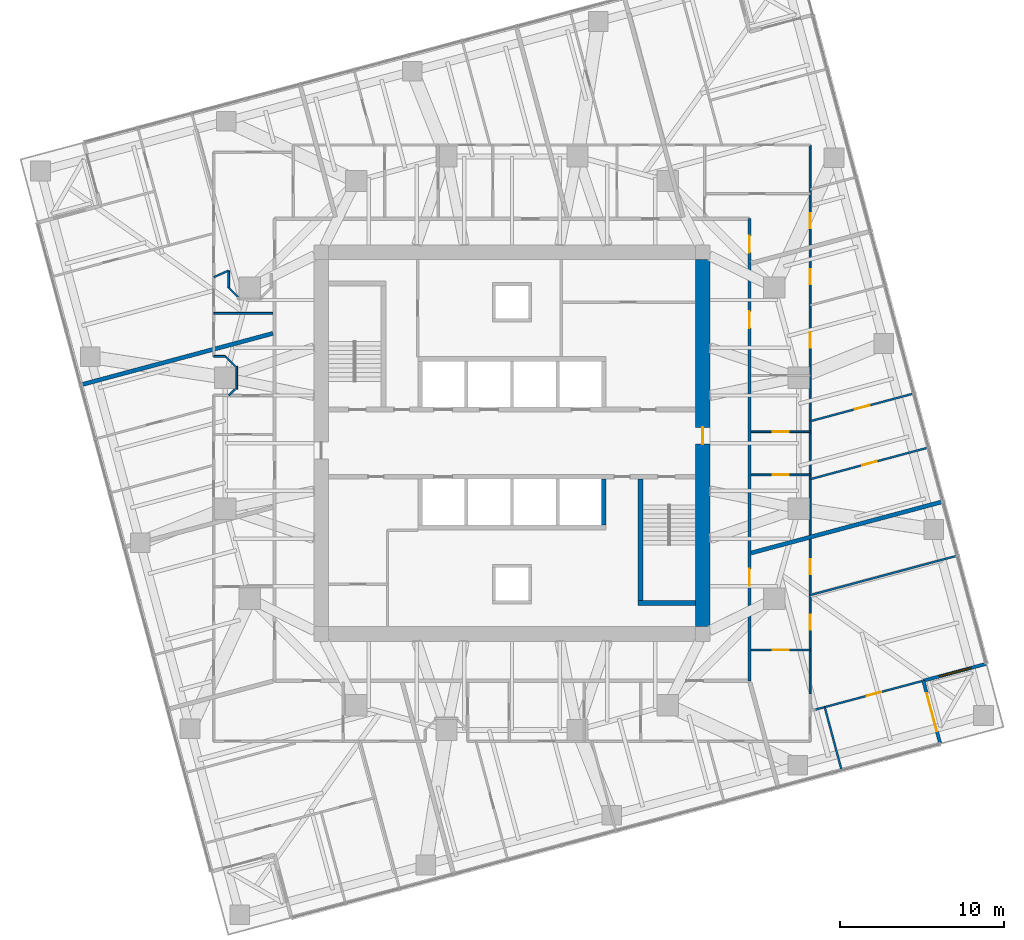
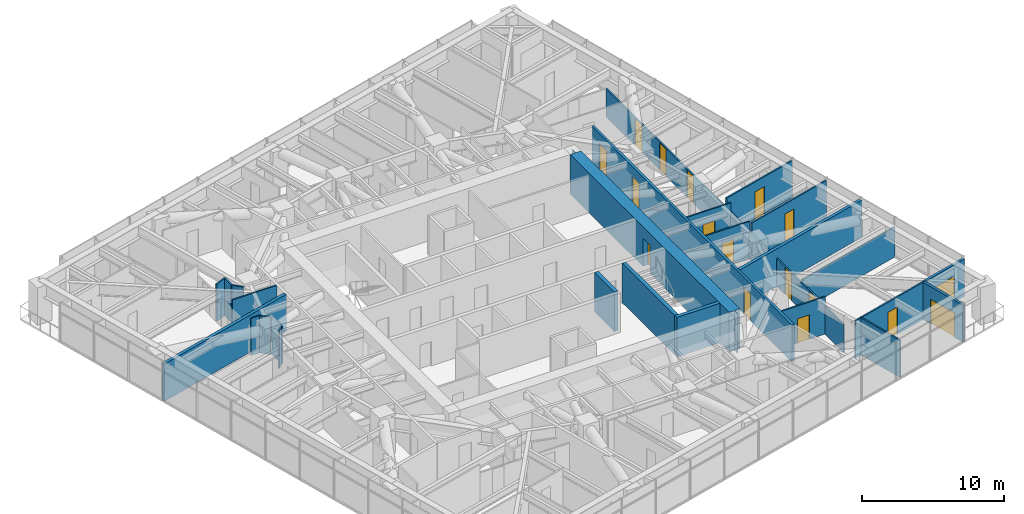
# One storey, part 13 of 18: 26 walls, 16 doors, 1 window, 17 openings.
"""IFC4 building model written with IfcOpenShell, lengths in metres."""

from ifc_helpers import new_model, si_unit, direction, frame, frame_2d, origin, place, context, subcontext, project, spatial, polyline, rectangle, outline, extrude, material, layer, layer_set, type_object, element, fill, save


model = new_model("IFC4")

# Units and contexts
model_context = context("Model", 3, precision=1e-05, world=origin(), true_north=direction((0.0, 1.0)))
body_context = subcontext(model_context, "Body", "Model", "MODEL_VIEW")
ifc_project = project(units=[si_unit("LENGTHUNIT", "METRE"), si_unit("AREAUNIT", "SQUARE_METRE"), si_unit("VOLUMEUNIT", "CUBIC_METRE"), si_unit("PLANEANGLEUNIT", "RADIAN"), si_unit("MASSUNIT", "GRAM", prefix="KILO")], contexts=[model_context])

# Site, building, storey
site_placement = place(None, origin())
site = spatial("IfcSite", under=ifc_project, at=site_placement, CompositionType="ELEMENT")
building_placement = place(site_placement, origin())
building = spatial("IfcBuilding", under=site, at=building_placement, Name="Torsade Residences", CompositionType="ELEMENT")
storey_placement = place(building_placement, frame((0.0, 0.0, 135.39990234375)))
storey = spatial("IfcBuildingStorey", under=building, at=storey_placement, Name="L37", CompositionType="ELEMENT", Elevation=135.39990234375)

# Walls
ifc_material_1 = material(Name="Concrete 80 MPa", Category="concrete")
ifc_layer_1 = layer(ifc_material_1, 0.300048828125)
ifc_layer_set_1 = layer_set([ifc_layer_1], Name="Concrete 80 MPa")
wall_type_1 = type_object("IfcWallType", Name="CORE INTERNAL WALL 300", PredefinedType="SHEAR", material=ifc_layer_set_1)
wall_1_placement = place(storey_placement, frame((45.60009765625, 27.800048828125, 0.0), z_axis=(0.0, 0.0, 1.0), x_axis=(0.0, -1.0, 0.0)))
element("IfcWall", 1, at=wall_1_placement, inside=storey, type_object=wall_type_1, Name="Core wall DS0 L37", PredefinedType="SHEAR", context=body_context, shape_type="SweptSolid", body=[
    extrude(rectangle(XDim=2.800048828125, YDim=0.300048828125, at=frame_2d((1.39990234375, 0.0))), origin(), (0.0, 0.0, 1.0), 3.400146484375),
])
wall_2_placement = place(storey_placement, frame((47.85009765625, 27.800048828125, 0.0), z_axis=(0.0, 0.0, 1.0), x_axis=(0.0, -1.0, 0.0)))
element("IfcWall", 2, at=wall_2_placement, inside=storey, type_object=wall_type_1, Name="Core wall ST2W L37", PredefinedType="SHEAR", context=body_context, shape_type="SweptSolid", body=[
    extrude(rectangle(XDim=7.699951171875, YDim=0.300048828125, at=frame_2d((3.85009765625, 0.0))), origin(), (0.0, 0.0, 1.0), 3.400146484375),
])
wall_3_placement = place(storey_placement, frame((51.199951171875, 20.25, 0.0), z_axis=(0.0, 0.0, 1.0), x_axis=(-1.0, 0.0, 0.0)))
element("IfcWall", 3, at=wall_3_placement, inside=storey, type_object=wall_type_1, Name="Core wall ST2S L37", PredefinedType="SHEAR", context=body_context, shape_type="SweptSolid", body=[
    extrude(rectangle(XDim=3.5, YDim=0.300048828125, at=frame_2d((1.75, 0.0))), origin(), (0.0, 0.0, 1.0), 3.400146484375),
])

# Wall, opening, door
ifc_material_2 = material(Name="Concrete 80 MPa", Category="concrete")
ifc_layer_2 = layer(ifc_material_2, 0.89990234375)
ifc_layer_set_2 = layer_set([ifc_layer_2], Name="Concrete 80 MPa")
wall_type_2 = type_object("IfcWallType", Name="CORE WALL 900", PredefinedType="SHEAR", material=ifc_layer_set_2)
wall_4_placement = place(storey_placement, frame((51.64990234375, 18.800048828125, 0.0), z_axis=(0.0, 0.0, 1.0), x_axis=(0.0, 1.0, 0.0)))
wall_4 = element("IfcWall", 4, at=wall_4_placement, inside=storey, type_object=wall_type_2, Name="Core wall E L37", PredefinedType="SHEAR", context=body_context, shape_type="SweptSolid", body=[
    extrude(outline(polyline([(0.0, -0.449951171875), (22.39990234375, -0.449951171875), (22.39990234375, -0.02490234375), (22.849853515625, -0.02490234375), (22.849853515625, 0.02490234375), (22.39990234375, 0.02490234375), (22.39990234375, 0.449951171875), (0.0, 0.449951171875), (0.0, 0.02490234375), (-0.449951171875, 0.02490234375), (-0.449951171875, -0.02490234375), (0.0, -0.02490234375), (0.0, -0.449951171875)])), origin(), (0.0, 0.0, 1.0), 3.400146484375),
])
opening_1_placement = place(wall_4_placement, frame((11.139892578125, 0.0, 0.0)))
opening_1 = element("IfcOpeningElement", 5, at=opening_1_placement, cuts=wall_4, Name="Opening D04", PredefinedType="OPENING", context=body_context, shape_type="SweptSolid", body=[
    extrude(rectangle(XDim=1.02001953125, YDim=2.39990234375, at=frame_2d((0.510009765625, 1.199951171875))), frame((0.0, 0.4599609375, 0.0), z_axis=(0.0, -1.0, 0.0), x_axis=(1.0, 0.0, 0.0)), (0.0, 0.0, 1.0), 0.919921875),
])
ifc_material_3 = material(Name="Steel-framed fire door", Category="steel")
door_type_1 = type_object("IfcDoorType", Name="LOBBY SMOKE DOOR 1020x2400", OperationType="NOTDEFINED", PredefinedType="DOOR", material=ifc_material_3)
door_1_placement = place(opening_1_placement, origin())
door_1 = element("IfcDoor", 6, at=door_1_placement, inside=storey, type_object=door_type_1, Name="Lift lobby door E L37", OperationType="SINGLE_SWING_LEFT", OverallHeight=2.39990234375, OverallWidth=1.02001953125, PredefinedType="DOOR", context=body_context, shape_type="SweptSolid", body=[
    extrude(rectangle(XDim=1.02001953125, YDim=2.39990234375, at=frame_2d((0.510009765625, 1.199951171875))), frame((0.0, 0.02490234375, 0.0), z_axis=(0.0, -1.0, 0.0), x_axis=(1.0, 0.0, 0.0)), (0.0, 0.0, 1.0), 0.050048828125),
])
fill(opening_1, door_1)

# Wall, openings, doors
ifc_material_4 = material(Name="Plasterboard on steel stud", Category="steel")
ifc_layer_3 = layer(ifc_material_4, 0.199951171875)
ifc_layer_set_3 = layer_set([ifc_layer_3], Name="Plasterboard on steel stud")
wall_type_3 = type_object("IfcWallType", Name="CORRIDOR WALL 200", PredefinedType="PARTITIONING", material=ifc_layer_set_3)
wall_5_placement = place(storey_placement, frame((54.5, 15.5, 0.0), z_axis=(0.0, 0.0, 1.0), x_axis=(0.0, 1.0, 0.0)))
wall_5 = element("IfcWall", 7, at=wall_5_placement, inside=storey, type_object=wall_type_3, Name="Corridor wall L37", PredefinedType="PARTITIONING", context=body_context, shape_type="SweptSolid", body=[
    extrude(rectangle(XDim=28.199951171875, YDim=0.199951171875, at=frame_2d((14.10009765625, 0.0))), origin(), (0.0, 0.0, 1.0), 3.2001953125),
])
opening_2_placement = place(wall_5_placement, frame((21.526611328125, 0.0, 0.0)))
opening_2 = element("IfcOpeningElement", 8, at=opening_2_placement, cuts=wall_5, Name="Opening D01", PredefinedType="OPENING", context=body_context, shape_type="SweptSolid", body=[
    extrude(rectangle(XDim=1.02001953125, YDim=2.340087890625, at=frame_2d((0.510009765625, 1.169921875))), frame((0.0, 0.10986328125, 0.0), z_axis=(0.0, -1.0, 0.0), x_axis=(1.0, 0.0, 0.0)), (0.0, 0.0, 1.0), 0.219970703125),
])
opening_3_placement = place(wall_5_placement, frame((5.80615234375, 0.0, 0.0)))
opening_3 = element("IfcOpeningElement", 9, at=opening_3_placement, cuts=wall_5, Name="Opening D01", PredefinedType="OPENING", context=body_context, shape_type="SweptSolid", body=[
    extrude(rectangle(XDim=1.02001953125, YDim=2.340087890625, at=frame_2d((0.510009765625, 1.169921875))), frame((0.0, 0.10986328125, 0.0), z_axis=(0.0, -1.0, 0.0), x_axis=(1.0, 0.0, 0.0)), (0.0, 0.0, 1.0), 0.219970703125),
])
opening_4_placement = place(wall_5_placement, frame((26.126953125, 0.0, 0.0)))
opening_4 = element("IfcOpeningElement", 10, at=opening_4_placement, cuts=wall_5, Name="Opening D01", PredefinedType="OPENING", context=body_context, shape_type="SweptSolid", body=[
    extrude(rectangle(XDim=1.02001953125, YDim=2.340087890625, at=frame_2d((0.510009765625, 1.169921875))), frame((0.0, 0.10986328125, 0.0), z_axis=(0.0, -1.0, 0.0), x_axis=(1.0, 0.0, 0.0)), (0.0, 0.0, 1.0), 0.219970703125),
])
ifc_material_5 = material(Name="Solid-core timber fire door", Category="wood")
door_type_2 = type_object("IfcDoorType", Name="APARTMENT ENTRY DOOR 1020x2340", OperationType="NOTDEFINED", PredefinedType="DOOR", material=ifc_material_5)
door_2_placement = place(opening_2_placement, origin())
door_2 = element("IfcDoor", 11, at=door_2_placement, inside=storey, type_object=door_type_2, Name="Door Residential corridor to Kitchen and dining", OperationType="SINGLE_SWING_LEFT", OverallHeight=2.340087890625, OverallWidth=1.02001953125, PredefinedType="DOOR", context=body_context, shape_type="SweptSolid", body=[
    extrude(rectangle(XDim=1.02001953125, YDim=2.340087890625, at=frame_2d((0.510009765625, 1.169921875))), frame((0.0, 0.02490234375, 0.0), z_axis=(0.0, -1.0, 0.0), x_axis=(1.0, 0.0, 0.0)), (0.0, 0.0, 1.0), 0.050048828125),
])
fill(opening_2, door_2)
door_3_placement = place(opening_3_placement, origin())
door_3 = element("IfcDoor", 12, at=door_3_placement, inside=storey, type_object=door_type_2, Name="Door Residential corridor to Kitchen and dining", OperationType="SINGLE_SWING_LEFT", OverallHeight=2.340087890625, OverallWidth=1.02001953125, PredefinedType="DOOR", context=body_context, shape_type="SweptSolid", body=[
    extrude(rectangle(XDim=1.02001953125, YDim=2.340087890625, at=frame_2d((0.510009765625, 1.169921875))), frame((0.0, 0.02490234375, 0.0), z_axis=(0.0, -1.0, 0.0), x_axis=(1.0, 0.0, 0.0)), (0.0, 0.0, 1.0), 0.050048828125),
])
fill(opening_3, door_3)
door_4_placement = place(opening_4_placement, origin())
door_4 = element("IfcDoor", 13, at=door_4_placement, inside=storey, type_object=door_type_2, Name="Door Residential corridor to Kitchen and dining", OperationType="SINGLE_SWING_RIGHT", OverallHeight=2.340087890625, OverallWidth=1.02001953125, PredefinedType="DOOR", context=body_context, shape_type="SweptSolid", body=[
    extrude(rectangle(XDim=1.02001953125, YDim=2.340087890625, at=frame_2d((0.510009765625, 1.169921875))), frame((0.0, 0.02490234375, 0.0), z_axis=(0.0, -1.0, 0.0), x_axis=(1.0, 0.0, 0.0)), (0.0, 0.0, 1.0), 0.050048828125),
])
fill(opening_4, door_4)

# Wall, opening, door
ifc_material_6 = material(Name="Plasterboard on steel stud", Category="steel")
ifc_layer_4 = layer(ifc_material_6, 0.1201171875)
ifc_layer_set_4 = layer_set([ifc_layer_4], Name="Plasterboard on steel stud")
wall_type_4 = type_object("IfcWallType", Name="PARTITION 120", PredefinedType="PARTITIONING", material=ifc_layer_set_4)
wall_6_placement = place(storey_placement, frame((58.199951171875, 17.376708984375, 0.0), z_axis=(0.0, 0.0, 1.0), x_axis=(-1.0, 0.0, 0.0)))
wall_6 = element("IfcWall", 14, at=wall_6_placement, inside=storey, type_object=wall_type_4, Name="Partition L37", PredefinedType="PARTITIONING", context=body_context, shape_type="SweptSolid", body=[
    extrude(rectangle(XDim=3.599853515625, YDim=0.1201171875, at=frame_2d((1.7998046875, 0.0))), origin(), (0.0, 0.0, 1.0), 3.2001953125),
])
opening_5_placement = place(wall_6_placement, frame((1.320068359375, 0.0, 0.0)))
opening_5 = element("IfcOpeningElement", 15, at=opening_5_placement, cuts=wall_6, Name="Opening D05", PredefinedType="OPENING", context=body_context, shape_type="SweptSolid", body=[
    extrude(rectangle(XDim=0.9599609375, YDim=2.10009765625, at=frame_2d((0.47998046875, 1.050048828125))), frame((0.0, 0.070068359375, 0.0), z_axis=(0.0, -1.0, 0.0), x_axis=(1.0, 0.0, 0.0)), (0.0, 0.0, 1.0), 0.14013671875),
])
ifc_material_7 = material(Name="Hollow-core timber door in a steel cavity frame", Category="steel")
door_type_3 = type_object("IfcDoorType", Name="BATHROOM CAVITY SLIDING DOOR 960", OperationType="SLIDING_TO_LEFT", PredefinedType="DOOR", material=ifc_material_7)
door_5_placement = place(opening_5_placement, origin())
door_5 = element("IfcDoor", 16, at=door_5_placement, inside=storey, type_object=door_type_3, Name="Door Kitchen and dining to Bathroom", OperationType="SLIDING_TO_LEFT", OverallHeight=2.10009765625, OverallWidth=0.9599609375, PredefinedType="DOOR", context=body_context, shape_type="SweptSolid", body=[
    extrude(rectangle(XDim=0.9599609375, YDim=2.10009765625, at=frame_2d((0.47998046875, 1.050048828125))), frame((0.0, 0.02490234375, 0.0), z_axis=(0.0, -1.0, 0.0), x_axis=(1.0, 0.0, 0.0)), (0.0, 0.0, 1.0), 0.050048828125),
])
fill(opening_5, door_5)

# Wall, openings, doors
wall_7_placement = place(storey_placement, frame((58.199951171875, 48.199951171875, 0.0), z_axis=(0.0, 0.0, 1.0), x_axis=(0.0, -1.0, 0.0)))
wall_7 = element("IfcWall", 17, at=wall_7_placement, inside=storey, type_object=wall_type_4, Name="Partition L37", PredefinedType="PARTITIONING", context=body_context, shape_type="SweptSolid", body=[
    extrude(rectangle(XDim=33.512451171875, YDim=0.1201171875, at=frame_2d((16.75634765625, 0.0))), origin(), (0.0, 0.0, 1.0), 2.399169921875),
])
opening_6_placement = place(wall_7_placement, frame((11.44140625, 0.0, 0.0)))
opening_6 = element("IfcOpeningElement", 18, at=opening_6_placement, cuts=wall_7, Name="Opening D02", PredefinedType="OPENING", context=body_context, shape_type="SweptSolid", body=[
    extrude(rectangle(XDim=0.919921875, YDim=2.340087890625, at=frame_2d((0.4599609375, 1.169921875))), frame((0.0, 0.070068359375, 0.0), z_axis=(0.0, -1.0, 0.0), x_axis=(1.0, 0.0, 0.0)), (0.0, 0.0, 1.0), 0.14013671875),
])
opening_7_placement = place(wall_7_placement, frame((7.58349609375, 0.0, 0.0)))
opening_7 = element("IfcOpeningElement", 19, at=opening_7_placement, cuts=wall_7, Name="Opening D02", PredefinedType="OPENING", context=body_context, shape_type="SweptSolid", body=[
    extrude(rectangle(XDim=0.919921875, YDim=2.340087890625, at=frame_2d((0.4599609375, 1.169921875))), frame((0.0, 0.070068359375, 0.0), z_axis=(0.0, -1.0, 0.0), x_axis=(1.0, 0.0, 0.0)), (0.0, 0.0, 1.0), 0.14013671875),
])
opening_8_placement = place(wall_7_placement, frame((25.269287109375, 0.0, 0.0)))
opening_8 = element("IfcOpeningElement", 20, at=opening_8_placement, cuts=wall_7, Name="Opening D02", PredefinedType="OPENING", context=body_context, shape_type="SweptSolid", body=[
    extrude(rectangle(XDim=0.919921875, YDim=2.340087890625, at=frame_2d((0.4599609375, 1.169921875))), frame((0.0, 0.070068359375, 0.0), z_axis=(0.0, -1.0, 0.0), x_axis=(1.0, 0.0, 0.0)), (0.0, 0.0, 1.0), 0.14013671875),
])
opening_9_placement = place(wall_7_placement, frame((28.661865234375, 0.0, 0.0)))
opening_9 = element("IfcOpeningElement", 21, at=opening_9_placement, cuts=wall_7, Name="Opening D02", PredefinedType="OPENING", context=body_context, shape_type="SweptSolid", body=[
    extrude(rectangle(XDim=0.919921875, YDim=2.340087890625, at=frame_2d((0.4599609375, 1.169921875))), frame((0.0, 0.070068359375, 0.0), z_axis=(0.0, -1.0, 0.0), x_axis=(1.0, 0.0, 0.0)), (0.0, 0.0, 1.0), 0.14013671875),
])
opening_10_placement = place(wall_7_placement, frame((4.150390625, 0.0, 0.0)))
opening_10 = element("IfcOpeningElement", 22, at=opening_10_placement, cuts=wall_7, Name="Opening D02", PredefinedType="OPENING", context=body_context, shape_type="SweptSolid", body=[
    extrude(rectangle(XDim=0.919921875, YDim=2.340087890625, at=frame_2d((0.4599609375, 1.169921875))), frame((0.0, 0.070068359375, 0.0), z_axis=(0.0, -1.0, 0.0), x_axis=(1.0, 0.0, 0.0)), (0.0, 0.0, 1.0), 0.14013671875),
])
ifc_material_8 = material(Name="Hollow-core timber door", Category="wood")
door_type_4 = type_object("IfcDoorType", Name="INTERNAL DOOR 920x2340", OperationType="NOTDEFINED", PredefinedType="DOOR", material=ifc_material_8)
door_6_placement = place(opening_6_placement, origin())
door_6 = element("IfcDoor", 23, at=door_6_placement, inside=storey, type_object=door_type_4, Name="Door Kitchen and dining to Living room", OperationType="SINGLE_SWING_LEFT", OverallHeight=2.340087890625, OverallWidth=0.919921875, PredefinedType="DOOR", context=body_context, shape_type="SweptSolid", body=[
    extrude(rectangle(XDim=0.919921875, YDim=2.340087890625, at=frame_2d((0.4599609375, 1.169921875))), frame((0.0, 0.02490234375, 0.0), z_axis=(0.0, -1.0, 0.0), x_axis=(1.0, 0.0, 0.0)), (0.0, 0.0, 1.0), 0.050048828125),
])
fill(opening_6, door_6)
door_7_placement = place(opening_7_placement, origin())
door_7 = element("IfcDoor", 24, at=door_7_placement, inside=storey, type_object=door_type_4, Name="Door Kitchen and dining to Bedroom 3", OperationType="SINGLE_SWING_RIGHT", OverallHeight=2.340087890625, OverallWidth=0.919921875, PredefinedType="DOOR", context=body_context, shape_type="SweptSolid", body=[
    extrude(rectangle(XDim=0.919921875, YDim=2.340087890625, at=frame_2d((0.4599609375, 1.169921875))), frame((0.0, 0.02490234375, 0.0), z_axis=(0.0, -1.0, 0.0), x_axis=(1.0, 0.0, 0.0)), (0.0, 0.0, 1.0), 0.050048828125),
])
fill(opening_7, door_7)
door_8_placement = place(opening_8_placement, origin())
door_8 = element("IfcDoor", 25, at=door_8_placement, inside=storey, type_object=door_type_4, Name="Door Kitchen and dining to Bedroom 1", OperationType="SINGLE_SWING_RIGHT", OverallHeight=2.340087890625, OverallWidth=0.919921875, PredefinedType="DOOR", context=body_context, shape_type="SweptSolid", body=[
    extrude(rectangle(XDim=0.919921875, YDim=2.340087890625, at=frame_2d((0.4599609375, 1.169921875))), frame((0.0, 0.02490234375, 0.0), z_axis=(0.0, -1.0, 0.0), x_axis=(1.0, 0.0, 0.0)), (0.0, 0.0, 1.0), 0.050048828125),
])
fill(opening_8, door_8)
door_9_placement = place(opening_9_placement, origin())
door_9 = element("IfcDoor", 26, at=door_9_placement, inside=storey, type_object=door_type_4, Name="Door Kitchen and dining to Living room", OperationType="SINGLE_SWING_LEFT", OverallHeight=2.340087890625, OverallWidth=0.919921875, PredefinedType="DOOR", context=body_context, shape_type="SweptSolid", body=[
    extrude(rectangle(XDim=0.919921875, YDim=2.340087890625, at=frame_2d((0.4599609375, 1.169921875))), frame((0.0, 0.02490234375, 0.0), z_axis=(0.0, -1.0, 0.0), x_axis=(1.0, 0.0, 0.0)), (0.0, 0.0, 1.0), 0.050048828125),
])
fill(opening_9, door_9)
door_10_placement = place(opening_10_placement, origin())
door_10 = element("IfcDoor", 27, at=door_10_placement, inside=storey, type_object=door_type_4, Name="Door Kitchen and dining to Bedroom 3", OperationType="SINGLE_SWING_RIGHT", OverallHeight=2.340087890625, OverallWidth=0.919921875, PredefinedType="DOOR", context=body_context, shape_type="SweptSolid", body=[
    extrude(rectangle(XDim=0.919921875, YDim=2.340087890625, at=frame_2d((0.4599609375, 1.169921875))), frame((0.0, 0.02490234375, 0.0), z_axis=(0.0, -1.0, 0.0), x_axis=(1.0, 0.0, 0.0)), (0.0, 0.0, 1.0), 0.050048828125),
])
fill(opening_10, door_10)

# Wall
wall_8_placement = place(storey_placement, frame((58.199951171875, 20.727783203125, 0.0), z_axis=(0.0, 0.0, 1.0), x_axis=(0.965925974596, 0.258818491613, 0.0)))
element("IfcWall", 28, at=wall_8_placement, inside=storey, type_object=wall_type_4, Name="Partition L37", PredefinedType="PARTITIONING", context=body_context, shape_type="SweptSolid", body=[
    extrude(rectangle(XDim=9.280029296875, YDim=0.1201171875, at=frame_2d((4.64013671875, 0.0))), origin(), (0.0, 0.0, 1.0), 2.588134765625),
])

# Wall, opening, door
wall_9_placement = place(storey_placement, frame((65.068603515625, 15.493896484375, 0.0), z_axis=(0.0, 0.0, 1.0), x_axis=(-0.965922865286, -0.258830095464, 0.0)))
wall_9 = element("IfcWall", 29, at=wall_9_placement, inside=storey, type_object=wall_type_4, Name="Partition L37", PredefinedType="PARTITIONING", context=body_context, shape_type="SweptSolid", body=[
    extrude(rectangle(XDim=6.793212890625, YDim=0.1201171875, at=frame_2d((3.396484375, 0.0))), origin(), (0.0, 0.0, 1.0), 3.2001953125),
])
opening_11_placement = place(wall_9_placement, frame((2.61669921875, 0.0, 0.0)))
opening_11 = element("IfcOpeningElement", 30, at=opening_11_placement, cuts=wall_9, Name="Opening D02", PredefinedType="OPENING", context=body_context, shape_type="SweptSolid", body=[
    extrude(rectangle(XDim=0.919921875, YDim=2.340087890625, at=frame_2d((0.4599609375, 1.169921875))), frame((0.0, 0.070068359375, 0.0), z_axis=(0.0, -1.0, 0.0), x_axis=(1.0, 0.0, 0.0)), (0.0, 0.0, 1.0), 0.14013671875),
])
door_11_placement = place(opening_11_placement, origin())
door_11 = element("IfcDoor", 31, at=door_11_placement, inside=storey, type_object=door_type_4, Name="Door Living room to Bedroom 2", OperationType="SINGLE_SWING_RIGHT", OverallHeight=2.340087890625, OverallWidth=0.919921875, PredefinedType="DOOR", context=body_context, shape_type="SweptSolid", body=[
    extrude(rectangle(XDim=0.919921875, YDim=2.340087890625, at=frame_2d((0.4599609375, 1.169921875))), frame((0.0, 0.02490234375, 0.0), z_axis=(0.0, -1.0, 0.0), x_axis=(1.0, 0.0, 0.0)), (0.0, 0.0, 1.0), 0.050048828125),
])
fill(opening_11, door_11)

# Wall
wall_10_placement = place(storey_placement, frame((60.111328125, 10.06591796875, 0.0), z_axis=(0.0, 0.0, 1.0), x_axis=(-0.258863452657, 0.965913926227, 0.0)))
element("IfcWall", 32, at=wall_10_placement, inside=storey, type_object=wall_type_4, Name="Partition L37", PredefinedType="PARTITIONING", context=body_context, shape_type="SweptSolid", body=[
    extrude(rectangle(XDim=3.960205078125, YDim=0.1201171875, at=frame_2d((1.97998046875, 0.0))), origin(), (0.0, 0.0, 1.0), 3.2001953125),
])

# Wall, opening, door
wall_11_placement = place(storey_placement, frame((54.60009765625, 28.06591796875, 0.0), z_axis=(0.0, 0.0, 1.0), x_axis=(1.0, 0.0, 0.0)))
wall_11 = element("IfcWall", 33, at=wall_11_placement, inside=storey, type_object=wall_type_4, Name="Partition L37", PredefinedType="PARTITIONING", context=body_context, shape_type="SweptSolid", body=[
    extrude(rectangle(XDim=3.599853515625, YDim=0.1201171875, at=frame_2d((1.7998046875, 0.0))), origin(), (0.0, 0.0, 1.0), 3.2001953125),
])
opening_12_placement = place(wall_11_placement, frame((1.320068359375, 0.0, 0.0)))
opening_12 = element("IfcOpeningElement", 34, at=opening_12_placement, cuts=wall_11, Name="Opening D05", PredefinedType="OPENING", context=body_context, shape_type="SweptSolid", body=[
    extrude(rectangle(XDim=0.9599609375, YDim=2.10009765625, at=frame_2d((0.47998046875, 1.050048828125))), frame((0.0, 0.070068359375, 0.0), z_axis=(0.0, -1.0, 0.0), x_axis=(1.0, 0.0, 0.0)), (0.0, 0.0, 1.0), 0.14013671875),
])
door_12_placement = place(opening_12_placement, origin())
door_12 = element("IfcDoor", 35, at=door_12_placement, inside=storey, type_object=door_type_3, Name="Door Laundry to Bathroom", OperationType="SLIDING_TO_LEFT", OverallHeight=2.10009765625, OverallWidth=0.9599609375, PredefinedType="DOOR", context=body_context, shape_type="SweptSolid", body=[
    extrude(rectangle(XDim=0.9599609375, YDim=2.10009765625, at=frame_2d((0.47998046875, 1.050048828125))), frame((0.0, 0.02490234375, 0.0), z_axis=(0.0, -1.0, 0.0), x_axis=(1.0, 0.0, 0.0)), (0.0, 0.0, 1.0), 0.050048828125),
])
fill(opening_12, door_12)

wall_12_placement = place(storey_placement, frame((58.199951171875, 30.69775390625, 0.0), z_axis=(0.0, 0.0, 1.0), x_axis=(-1.0, 0.0, 0.0)))
wall_12 = element("IfcWall", 36, at=wall_12_placement, inside=storey, type_object=wall_type_4, Name="Partition L37", PredefinedType="PARTITIONING", context=body_context, shape_type="SweptSolid", body=[
    extrude(rectangle(XDim=3.599853515625, YDim=0.1201171875, at=frame_2d((1.7998046875, 0.0))), origin(), (0.0, 0.0, 1.0), 3.2001953125),
])
opening_13_placement = place(wall_12_placement, frame((1.320068359375, 0.0, 0.0)))
opening_13 = element("IfcOpeningElement", 37, at=opening_13_placement, cuts=wall_12, Name="Opening D05", PredefinedType="OPENING", context=body_context, shape_type="SweptSolid", body=[
    extrude(rectangle(XDim=0.9599609375, YDim=2.10009765625, at=frame_2d((0.47998046875, 1.050048828125))), frame((0.0, 0.070068359375, 0.0), z_axis=(0.0, -1.0, 0.0), x_axis=(1.0, 0.0, 0.0)), (0.0, 0.0, 1.0), 0.14013671875),
])
door_13_placement = place(opening_13_placement, origin())
door_13 = element("IfcDoor", 38, at=door_13_placement, inside=storey, type_object=door_type_3, Name="Door Ensuite to Laundry", OperationType="SLIDING_TO_LEFT", OverallHeight=2.10009765625, OverallWidth=0.9599609375, PredefinedType="DOOR", context=body_context, shape_type="SweptSolid", body=[
    extrude(rectangle(XDim=0.9599609375, YDim=2.10009765625, at=frame_2d((0.47998046875, 1.050048828125))), frame((0.0, 0.02490234375, 0.0), z_axis=(0.0, -1.0, 0.0), x_axis=(1.0, 0.0, 0.0)), (0.0, 0.0, 1.0), 0.050048828125),
])
fill(opening_13, door_13)

wall_13_placement = place(storey_placement, frame((64.5107421875, 33.030517578125, 0.0), z_axis=(0.0, 0.0, 1.0), x_axis=(-0.96591852682, -0.258846285554, 0.0)))
wall_13 = element("IfcWall", 39, at=wall_13_placement, inside=storey, type_object=wall_type_4, Name="Partition L37", PredefinedType="PARTITIONING", context=body_context, shape_type="SweptSolid", body=[
    extrude(rectangle(XDim=6.533447265625, YDim=0.1201171875, at=frame_2d((3.2666015625, 0.0))), origin(), (0.0, 0.0, 1.0), 3.2001953125),
])
opening_14_placement = place(wall_13_placement, frame((2.78662109375, 0.0, 0.0)))
opening_14 = element("IfcOpeningElement", 40, at=opening_14_placement, cuts=wall_13, Name="Opening D02", PredefinedType="OPENING", context=body_context, shape_type="SweptSolid", body=[
    extrude(rectangle(XDim=0.919921875, YDim=2.340087890625, at=frame_2d((0.4599609375, 1.169921875))), frame((0.0, 0.070068359375, 0.0), z_axis=(0.0, -1.0, 0.0), x_axis=(1.0, 0.0, 0.0)), (0.0, 0.0, 1.0), 0.14013671875),
])
door_14_placement = place(opening_14_placement, origin())
door_14 = element("IfcDoor", 41, at=door_14_placement, inside=storey, type_object=door_type_4, Name="Door Living room to Bedroom 2", OperationType="SINGLE_SWING_RIGHT", OverallHeight=2.340087890625, OverallWidth=0.919921875, PredefinedType="DOOR", context=body_context, shape_type="SweptSolid", body=[
    extrude(rectangle(XDim=0.919921875, YDim=2.340087890625, at=frame_2d((0.4599609375, 1.169921875))), frame((0.0, 0.02490234375, 0.0), z_axis=(0.0, -1.0, 0.0), x_axis=(1.0, 0.0, 0.0)), (0.0, 0.0, 1.0), 0.050048828125),
])
fill(opening_14, door_14)

wall_14_placement = place(storey_placement, frame((58.199951171875, 27.80224609375, 0.0), z_axis=(0.0, 0.0, 1.0), x_axis=(0.965925814813, 0.258819087933, 0.0)))
wall_14 = element("IfcWall", 42, at=wall_14_placement, inside=storey, type_object=wall_type_4, Name="Partition L37", PredefinedType="PARTITIONING", context=body_context, shape_type="SweptSolid", body=[
    extrude(rectangle(XDim=7.44921875, YDim=0.1201171875, at=frame_2d((3.724609375, 0.0))), origin(), (0.0, 0.0, 1.0), 3.2001953125),
])
opening_15_placement = place(wall_14_placement, frame((3.284423828125, 0.0, 0.0)))
opening_15 = element("IfcOpeningElement", 43, at=opening_15_placement, cuts=wall_14, Name="Opening D02", PredefinedType="OPENING", context=body_context, shape_type="SweptSolid", body=[
    extrude(rectangle(XDim=0.919921875, YDim=2.340087890625, at=frame_2d((0.4599609375, 1.169921875))), frame((0.0, 0.070068359375, 0.0), z_axis=(0.0, -1.0, 0.0), x_axis=(1.0, 0.0, 0.0)), (0.0, 0.0, 1.0), 0.14013671875),
])
door_15_placement = place(opening_15_placement, origin())
door_15 = element("IfcDoor", 44, at=door_15_placement, inside=storey, type_object=door_type_4, Name="Door Bedroom 2 to Bedroom 1", OperationType="SINGLE_SWING_LEFT", OverallHeight=2.340087890625, OverallWidth=0.919921875, PredefinedType="DOOR", context=body_context, shape_type="SweptSolid", body=[
    extrude(rectangle(XDim=0.919921875, YDim=2.340087890625, at=frame_2d((0.4599609375, 1.169921875))), frame((0.0, 0.02490234375, 0.0), z_axis=(0.0, -1.0, 0.0), x_axis=(1.0, 0.0, 0.0)), (0.0, 0.0, 1.0), 0.050048828125),
])
fill(opening_15, door_15)

# Walls
wall_15_placement = place(storey_placement, frame((23.300048828125, 38.89990234375, 0.0), z_axis=(0.0, 0.0, 1.0), x_axis=(-0.707106781187, 0.707106781187, 0.0)))
element("IfcWall", 45, at=wall_15_placement, inside=storey, type_object=wall_type_4, Name="Partition L37", PredefinedType="PARTITIONING", context=body_context, shape_type="SweptSolid", body=[
    extrude(rectangle(XDim=0.8486328125, YDim=0.1201171875, at=frame_2d((0.42431640625, 0.0))), origin(), (0.0, 0.0, 1.0), 3.2001953125),
])
wall_16_placement = place(storey_placement, frame((22.699951171875, 39.5, 0.0), z_axis=(0.0, 0.0, 1.0), x_axis=(0.0, 1.0, 0.0)))
element("IfcWall", 46, at=wall_16_placement, inside=storey, type_object=wall_type_4, Name="Partition L37", PredefinedType="PARTITIONING", context=body_context, shape_type="SweptSolid", body=[
    extrude(rectangle(XDim=1.035400390625, YDim=0.1201171875, at=frame_2d((0.517578125, 0.0))), origin(), (0.0, 0.0, 1.0), 3.2001953125),
])
wall_17_placement = place(storey_placement, frame((22.699951171875, 40.535400390625, 0.0), z_axis=(0.0, 0.0, 1.0), x_axis=(-0.913739977195, -0.406299463544, 0.0)))
element("IfcWall", 47, at=wall_17_placement, inside=storey, type_object=wall_type_4, Name="Partition L37", PredefinedType="PARTITIONING", context=body_context, shape_type="SweptSolid", body=[
    extrude(rectangle(XDim=0.98486328125, YDim=0.1201171875, at=frame_2d((0.492431640625, 0.0))), origin(), (0.0, 0.0, 1.0), 3.2001953125),
])
wall_18_placement = place(storey_placement, frame((25.39990234375, 37.918212890625, 0.0), z_axis=(0.0, 0.0, 1.0), x_axis=(-1.0, 0.0, 0.0)))
element("IfcWall", 48, at=wall_18_placement, inside=storey, type_object=wall_type_4, Name="Partition L37", PredefinedType="PARTITIONING", context=body_context, shape_type="SweptSolid", body=[
    extrude(rectangle(XDim=3.599853515625, YDim=0.1201171875, at=frame_2d((1.7998046875, 0.0))), origin(), (0.0, 0.0, 1.0), 3.2001953125),
])
wall_19_placement = place(storey_placement, frame((22.716064453125, 32.916015625, 0.0), z_axis=(0.0, 0.0, 1.0), x_axis=(0.707106781187, 0.707106781187, 0.0)))
element("IfcWall", 49, at=wall_19_placement, inside=storey, type_object=wall_type_4, Name="Partition L37", PredefinedType="PARTITIONING", context=body_context, shape_type="SweptSolid", body=[
    extrude(rectangle(XDim=0.543212890625, YDim=0.1201171875, at=frame_2d((0.271484375, 0.0))), origin(), (0.0, 0.0, 1.0), 3.2001953125),
])
wall_20_placement = place(storey_placement, frame((23.199951171875, 33.300048828125, 0.0), z_axis=(0.0, 0.0, 1.0), x_axis=(0.0, 1.0, 0.0)))
element("IfcWall", 50, at=wall_20_placement, inside=storey, type_object=wall_type_4, Name="Partition L37", PredefinedType="PARTITIONING", context=body_context, shape_type="SweptSolid", body=[
    extrude(rectangle(XDim=1.39990234375, YDim=0.1201171875, at=frame_2d((0.699951171875, 0.0))), origin(), (0.0, 0.0, 1.0), 3.2001953125),
])
wall_21_placement = place(storey_placement, frame((23.10009765625, 34.699951171875, 0.0), z_axis=(0.0, 0.0, 1.0), x_axis=(-0.707106781187, 0.707106781187, 0.0)))
element("IfcWall", 51, at=wall_21_placement, inside=storey, type_object=wall_type_4, Name="Partition L37", PredefinedType="PARTITIONING", context=body_context, shape_type="SweptSolid", body=[
    extrude(rectangle(XDim=0.8486328125, YDim=0.1201171875, at=frame_2d((0.42431640625, 0.0))), origin(), (0.0, 0.0, 1.0), 3.2001953125),
])
wall_22_placement = place(storey_placement, frame((22.5, 35.300048828125, 0.0), z_axis=(0.0, 0.0, 1.0), x_axis=(-1.0, 0.0, 0.0)))
element("IfcWall", 52, at=wall_22_placement, inside=storey, type_object=wall_type_4, Name="Partition L37", PredefinedType="PARTITIONING", context=body_context, shape_type="SweptSolid", body=[
    extrude(rectangle(XDim=0.699951171875, YDim=0.1201171875, at=frame_2d((0.35009765625, 0.0))), origin(), (0.0, 0.0, 1.0), 3.2001953125),
])
ifc_material_9 = material(Name="Masonry-lined stud party wall", Category="masonry")
ifc_layer_5 = layer(ifc_material_9, 0.25)
ifc_layer_set_5 = layer_set([ifc_layer_5], Name="Masonry-lined stud party wall")
wall_type_5 = type_object("IfcWallType", Name="PARTY WALL 250", PredefinedType="PARTITIONING", material=ifc_layer_set_5)
for number, where, z_axis, x_axis, name in (
    (53, (66.318115234375, 26.4404296875, 0.0), (0.0, 0.0, 1.0), (-0.965924438766, -0.258824223352, 0.0), "Party wall L37"),
    (54, (13.681884765625, 33.5595703125, 0.0), (0.0, 0.0, 1.0), (0.965924438766, 0.258824223352, 0.0), "Party wall L37"),
):
    element("IfcWall", number, at=place(storey_placement, frame(where, z_axis=z_axis, x_axis=x_axis)), inside=storey, type_object=wall_type_5, Name=name, PredefinedType="PARTITIONING", context=body_context, shape_type="SweptSolid", body=[
        extrude(rectangle(XDim=12.137939453125, YDim=0.25, at=frame_2d((6.06884765625, 0.0))), origin(), (0.0, 0.0, 1.0), 3.2001953125),
    ])

# Wall, opening, door
ifc_material_10 = material(Name="Stone-faced precast concrete 40 MPa panel", Category="masonry")
ifc_layer_6 = layer(ifc_material_10, 0.199951171875)
ifc_layer_set_6 = layer_set([ifc_layer_6], Name="Stone-faced precast concrete 40 MPa panel")
wall_type_6 = type_object("IfcWallType", Name="TERRACE WALL 200", PredefinedType="SOLIDWALL", material=ifc_layer_set_6)
wall_23_placement = place(storey_placement, frame((66.142578125, 11.640625, 0.0), z_axis=(0.0, 0.0, 1.0), x_axis=(-0.258843877716, 0.965919172068, 0.0)))
wall_23 = element("IfcWall", 55, at=wall_23_placement, inside=storey, type_object=wall_type_6, Name="Terrace wall L37 2", PredefinedType="SOLIDWALL", context=body_context, shape_type="SweptSolid", body=[
    extrude(rectangle(XDim=4.0, YDim=0.199951171875, at=frame_2d((2.0, 0.0))), origin(), (0.0, 0.0, 1.0), 3.2001953125),
])
opening_16_placement = place(wall_23_placement, frame((0.800048828125, 0.0, 0.0)))
opening_16 = element("IfcOpeningElement", 56, at=opening_16_placement, cuts=wall_23, Name="Opening D10A", PredefinedType="OPENING", context=body_context, shape_type="SweptSolid", body=[
    extrude(rectangle(XDim=2.39990234375, YDim=2.10009765625, at=frame_2d((1.199951171875, 1.050048828125))), frame((0.0, 0.10986328125, 0.0), z_axis=(0.0, -1.0, 0.0), x_axis=(1.0, 0.0, 0.0)), (0.0, 0.0, 1.0), 0.219970703125),
])
ifc_material_11 = material(Name="Aluminium-framed glass door", Category="aluminium")
door_type_5 = type_object("IfcDoorType", Name="TERRACE SLIDING DOOR 2400x2100", OperationType="SLIDING_TO_LEFT", PredefinedType="DOOR", material=ifc_material_11)
door_16_placement = place(opening_16_placement, origin())
door_16 = element("IfcDoor", 57, at=door_16_placement, inside=storey, type_object=door_type_5, Name="Terrace door L37 2", OperationType="SLIDING_TO_LEFT", OverallHeight=2.10009765625, OverallWidth=2.39990234375, PredefinedType="DOOR", context=body_context, shape_type="SweptSolid", body=[
    extrude(rectangle(XDim=2.39990234375, YDim=2.10009765625, at=frame_2d((1.199951171875, 1.050048828125))), frame((0.0, 0.02490234375, 0.0), z_axis=(0.0, -1.0, 0.0), x_axis=(1.0, 0.0, 0.0)), (0.0, 0.0, 1.0), 0.050048828125),
])
fill(opening_16, door_16)

# Wall, opening, window
wall_24_placement = place(storey_placement, frame((65.107177734375, 15.50439453125, 0.0), z_axis=(0.0, 0.0, 1.0), x_axis=(0.965934430412, 0.258786931944, 0.0)))
wall_24 = element("IfcWall", 58, at=wall_24_placement, inside=storey, type_object=wall_type_6, Name="Terrace wall L37 3", PredefinedType="SOLIDWALL", context=body_context, shape_type="SweptSolid", body=[
    extrude(rectangle(XDim=4.0, YDim=0.199951171875, at=frame_2d((2.0, 0.0))), origin(), (0.0, 0.0, 1.0), 3.2001953125),
])
opening_17_placement = place(wall_24_placement, frame((1.0, 0.0, 0.39990234375)))
opening_17 = element("IfcOpeningElement", 59, at=opening_17_placement, cuts=wall_24, Name="Opening W1B", PredefinedType="OPENING", context=body_context, shape_type="SweptSolid", body=[
    extrude(rectangle(XDim=2.0, YDim=1.800048828125, at=frame_2d((1.0, 0.89990234375))), frame((0.0, 0.10986328125, 0.0), z_axis=(0.0, -1.0, 0.0), x_axis=(1.0, 0.0, 0.0)), (0.0, 0.0, 1.0), 0.219970703125),
])
ifc_material_12 = material(Name="Aluminium-framed glass window", Category="aluminium")
window_type = type_object("IfcWindowType", Name="TERRACE WINDOW 2000x1800", PartitioningType="SINGLE_PANEL", PredefinedType="WINDOW", material=ifc_material_12)
window_placement = place(opening_17_placement, origin())
window = element("IfcWindow", 60, at=window_placement, inside=storey, type_object=window_type, Name="Terrace window L37 3", OverallHeight=1.800048828125, OverallWidth=2.0, PartitioningType="SINGLE_PANEL", PredefinedType="WINDOW", context=body_context, shape_type="SweptSolid", body=[
    extrude(rectangle(XDim=2.0, YDim=1.800048828125, at=frame_2d((1.0, 0.89990234375))), frame((0.0, 0.030029296875, 0.0), z_axis=(0.0, -1.0, 0.0), x_axis=(1.0, 0.0, 0.0)), (0.0, 0.0, 1.0), 0.06005859375),
])
fill(opening_17, window)

save(model, "model.ifc")
